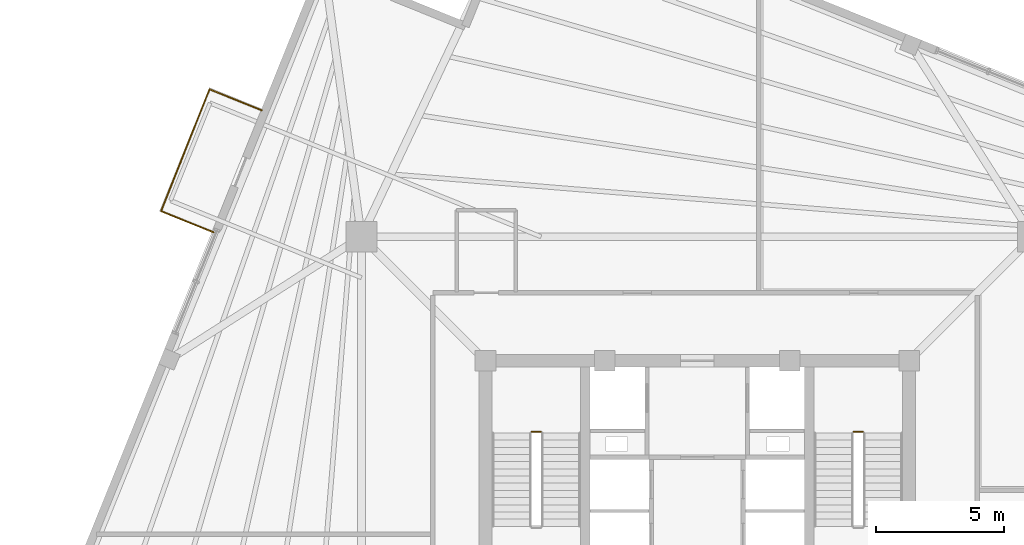
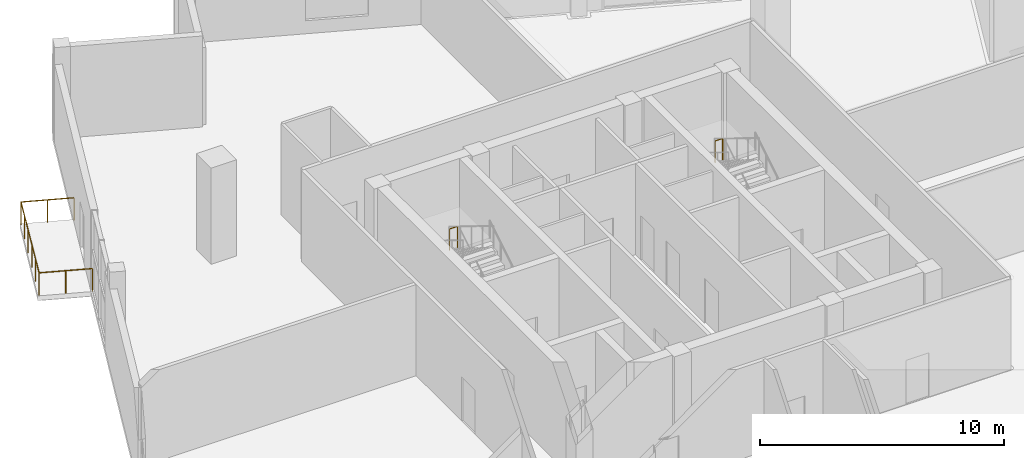
# One storey, part 11 of 12: 5 railings.
"""IFC4 building model written with IfcOpenShell, lengths in metres."""

from ifc_helpers import new_model, si_unit, direction, frame, origin, origin_2d, place, context, subcontext, project, spatial, circle, extrude, source, transform, mapped, material, type_object, element, save


model = new_model("IFC4")

# Units and contexts
model_context = context("Model", 3, precision=1e-05, world=origin(), true_north=direction((0.0, 1.0)))
body_context = subcontext(model_context, "Body", "Model", "MODEL_VIEW")
ifc_project = project(units=[si_unit("LENGTHUNIT", "METRE"), si_unit("AREAUNIT", "SQUARE_METRE"), si_unit("VOLUMEUNIT", "CUBIC_METRE"), si_unit("PLANEANGLEUNIT", "RADIAN"), si_unit("MASSUNIT", "GRAM", prefix="KILO"), si_unit("THERMODYNAMICTEMPERATUREUNIT", "KELVIN")], contexts=[model_context])

# Site, building, storey
site_placement = place(None, origin())
site = spatial("IfcSite", under=ifc_project, at=site_placement, CompositionType="ELEMENT")
building_placement = place(site_placement, origin())
building = spatial("IfcBuilding", under=site, at=building_placement, Name="Kosmvard Interchange Tower", CompositionType="ELEMENT")
storey_placement = place(building_placement, frame((0.0, 0.0, 312.0)))
storey = spatial("IfcBuildingStorey", under=building, at=storey_placement, Name="L77", CompositionType="ELEMENT", Elevation=312.0)

# Railings
ifc_material = material(Name="Steel S355", Category="steel")
railing_type_1 = type_object("IfcRailingType", Name="Observation & Balcony Glass-Infill Balustrade 1150", PredefinedType="BALUSTRADE", material=ifc_material)
shared_shape_1 = source(origin(), body_context, "Body", "SweptSolid", [
    extrude(circle(Radius=0.02392578125, at=origin_2d()), frame((0.0, 0.0, 1.1259765625), z_axis=(-0.927208487558, 0.374545618852, 0.0), x_axis=(-0.374545618852, -0.927208487558, 0.0)), (0.0, 0.0, 1.0), 2.199951171875),
    extrude(circle(Radius=0.02099609375, at=origin_2d()), origin(), (0.0, 0.0, 1.0), 1.101806640625),
    extrude(circle(Radius=0.02099609375, at=origin_2d()), frame((-1.02001953125, 0.412109375, 0.0)), (0.0, 0.0, 1.0), 1.101806640625),
    extrude(circle(Radius=0.02099609375, at=origin_2d()), frame((-2.039794921875, 0.823974609375, 0.0)), (0.0, 0.0, 1.0), 1.101806640625),
])
railing_1_placement = place(storey_placement, frame((-16.9599609375, 18.0009765625, 0.0)))
element("IfcRailing", 1, at=railing_1_placement, inside=storey, type_object=railing_type_1, Name="L77 Outdoor Terrace Guard OBD-L77-N-A", PredefinedType="BALUSTRADE", context=body_context, shape_type="MappedRepresentation", body=[
    mapped(shared_shape_1, transform((0.0, 0.0, 0.0), scale=1.0)),
])
shared_shape_2 = source(origin(), body_context, "Body", "SweptSolid", [
    extrude(circle(Radius=0.02392578125, at=origin_2d()), frame((0.0, 0.0, 1.1259765625), z_axis=(-0.368899296073, -0.929469369779, 0.0), x_axis=(0.929469369779, -0.368899296073, 0.0)), (0.0, 0.0, 1.0), 5.105224609375),
    extrude(circle(Radius=0.02099609375, at=origin_2d()), origin(), (0.0, 0.0, 1.0), 1.101806640625),
    extrude(circle(Radius=0.02099609375, at=origin_2d()), frame((-0.376708984375, -0.948974609375, 0.0)), (0.0, 0.0, 1.0), 1.101806640625),
    extrude(circle(Radius=0.02099609375, at=origin_2d()), frame((-0.75341796875, -1.89794921875, 0.0)), (0.0, 0.0, 1.0), 1.101806640625),
    extrude(circle(Radius=0.02099609375, at=origin_2d()), frame((-1.1298828125, -2.84716796875, 0.0)), (0.0, 0.0, 1.0), 1.101806640625),
    extrude(circle(Radius=0.02099609375, at=origin_2d()), frame((-1.506591796875, -3.796142578125, 0.0)), (0.0, 0.0, 1.0), 1.101806640625),
    extrude(circle(Radius=0.02099609375, at=origin_2d()), frame((-1.88330078125, -4.7451171875, 0.0)), (0.0, 0.0, 1.0), 1.101806640625),
])
railing_2_placement = place(storey_placement, frame((-18.999755859375, 18.824951171875, 0.0)))
element("IfcRailing", 2, at=railing_2_placement, inside=storey, type_object=railing_type_1, Name="L77 Outdoor Terrace Guard OBD-L77-N-B", PredefinedType="BALUSTRADE", context=body_context, shape_type="MappedRepresentation", body=[
    mapped(shared_shape_2, transform((0.0, 0.0, 0.0), scale=1.0)),
])
shared_shape_3 = source(origin(), body_context, "Body", "SweptSolid", [
    extrude(circle(Radius=0.02392578125, at=origin_2d()), frame((0.0, 0.0, 1.1259765625), z_axis=(0.927208487558, -0.374545618852, 0.0), x_axis=(0.374545618852, 0.927208487558, 0.0)), (0.0, 0.0, 1.0), 2.199951171875),
    extrude(circle(Radius=0.02099609375, at=origin_2d()), origin(), (0.0, 0.0, 1.0), 1.101806640625),
    extrude(circle(Radius=0.02099609375, at=origin_2d()), frame((1.02001953125, -0.412109375, 0.0)), (0.0, 0.0, 1.0), 1.101806640625),
    extrude(circle(Radius=0.02099609375, at=origin_2d()), frame((2.039794921875, -0.823974609375, 0.0)), (0.0, 0.0, 1.0), 1.101806640625),
])
railing_3_placement = place(storey_placement, frame((-20.883056640625, 14.079833984375, 0.0)))
element("IfcRailing", 3, at=railing_3_placement, inside=storey, type_object=railing_type_1, Name="L77 Outdoor Terrace Guard OBD-L77-N-C", PredefinedType="BALUSTRADE", context=body_context, shape_type="MappedRepresentation", body=[
    mapped(shared_shape_3, transform((0.0, 0.0, 0.0), scale=1.0)),
])
railing_type_2 = type_object("IfcRailingType", Name="Stair & Terrace Safety Guardrail 1100 Steel", PredefinedType="GUARDRAIL", material=ifc_material)
shared_shape_4 = source(origin(), body_context, "Body", "SweptSolid", [
    extrude(circle(Radius=0.02392578125, at=origin_2d()), frame((0.0, 0.0, 1.076171875), z_axis=(-1.0, 0.0, 0.0), x_axis=(0.0, -1.0, 0.0)), (0.0, 0.0, 1.0), 0.35986328125),
    extrude(circle(Radius=0.02099609375, at=origin_2d()), origin(), (0.0, 0.0, 1.0), 1.052001953125),
    extrude(circle(Radius=0.02099609375, at=origin_2d()), frame((-0.35986328125, 0.0, 0.0)), (0.0, 0.0, 1.0), 1.052001953125),
])
for number, where, name in (
    (4, (-6.090087890625, 5.489990234375, 2.39990234375), "L77 ST-1 stair guard 2"),
    (5, (6.449951171875, 5.489990234375, 2.39990234375), "L77 ST-2 stair guard 2"),
):
    element("IfcRailing", number, at=place(storey_placement, frame(where)), inside=storey, type_object=railing_type_2, Name=name, PredefinedType="GUARDRAIL", context=body_context, shape_type="MappedRepresentation", body=[
        mapped(shared_shape_4, transform((0.0, 0.0, 0.0), scale=1.0)),
    ])

save(model, "model.ifc")
